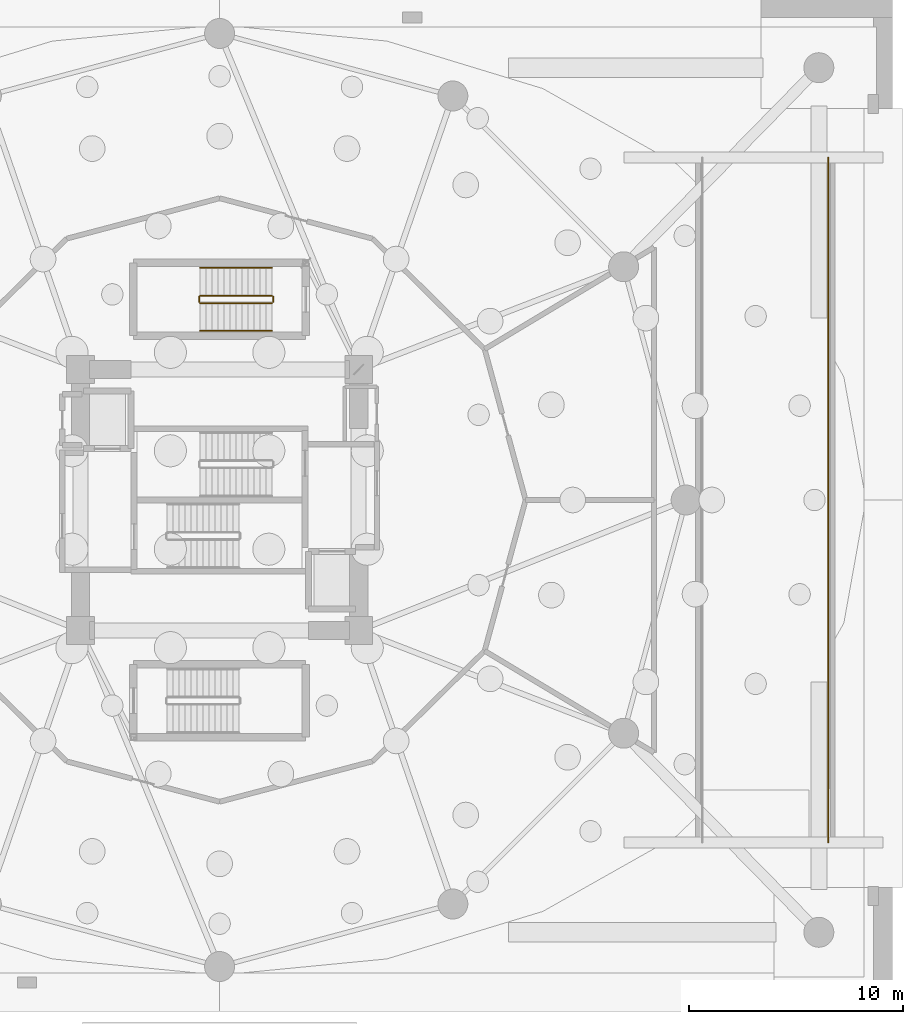
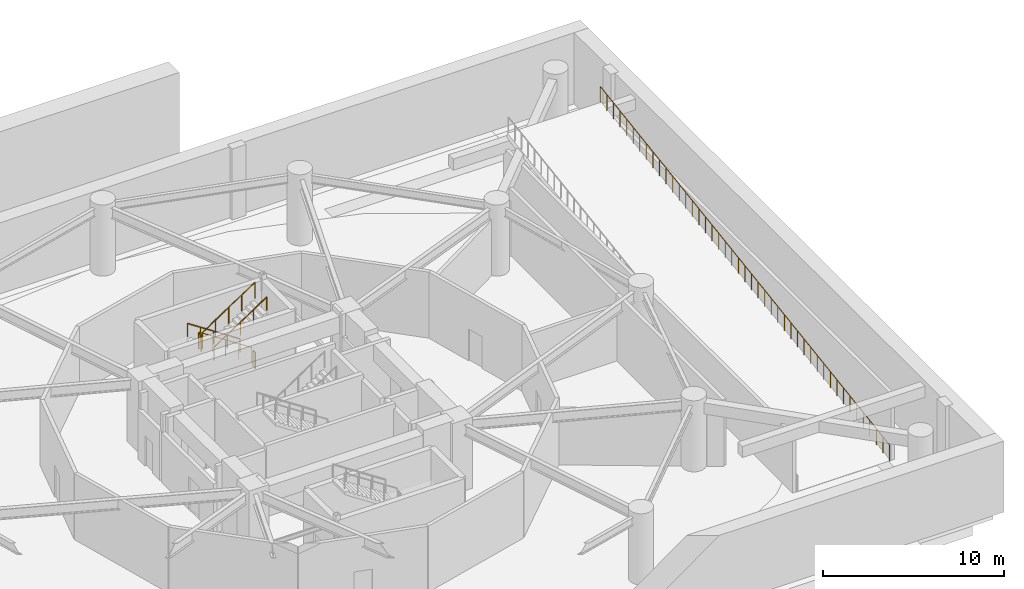
# One storey, part 11 of 12: 7 railings.
"""IFC4 building model written with IfcOpenShell, lengths in metres."""

from ifc_helpers import new_model, si_unit, direction, frame, origin, origin_2d, place, context, subcontext, project, spatial, circle, extrude, material, type_object, element, save


model = new_model("IFC4")

# Units and contexts
model_context = context("Model", 3, precision=1e-05, world=origin(), true_north=direction((0.0, 1.0)))
body_context = subcontext(model_context, "Body", "Model", "MODEL_VIEW")
ifc_project = project(units=[si_unit("LENGTHUNIT", "METRE"), si_unit("AREAUNIT", "SQUARE_METRE"), si_unit("VOLUMEUNIT", "CUBIC_METRE"), si_unit("PLANEANGLEUNIT", "RADIAN"), si_unit("MASSUNIT", "GRAM", prefix="KILO")], contexts=[model_context])

# Site, building, storey
site_placement = place(None, origin())
site = spatial("IfcSite", under=ifc_project, at=site_placement, CompositionType="ELEMENT")
building_placement = place(site_placement, origin())
building = spatial("IfcBuilding", under=site, at=building_placement, Name="Solvirekh Grand Hotel", CompositionType="ELEMENT")
storey_placement = place(building_placement, frame((0.0, 0.0, -9.60009765625)))
storey = spatial("IfcBuildingStorey", under=building, at=storey_placement, Name="B02", CompositionType="ELEMENT", Elevation=-9.60009765625)

# Railings
ifc_material_1 = material(Name="Steel S355", Category="steel")
railing_type_1 = type_object("IfcRailingType", Name="Guard_Stair_1100", PredefinedType="GUARDRAIL", material=ifc_material_1)
railing_1_placement = place(storey_placement, frame((28.43994140625, -16.0, 0.0)))
element("IfcRailing", 1, at=railing_1_placement, inside=storey, type_object=railing_type_1, Name="B02 vehicle ramp R1 E edge safety guardrail", PredefinedType="GUARDRAIL", context=body_context, shape_type="SweptSolid", body=[
    extrude(circle(Radius=0.02392578125, at=origin_2d()), frame((0.0, 0.0, 1.076171875), z_axis=(0.0, 0.988935024618, 0.148349307663), x_axis=(-1.0, 0.0, 0.0)), (0.0, 0.0, 1.0), 16.178955078125),
    extrude(circle(Radius=0.02392578125, at=origin_2d()), frame((0.0, 16.0, 3.47607421875), z_axis=(0.0, 0.988937238327, 0.148334549755), x_axis=(-1.0, 0.0, 0.0)), (0.0, 0.0, 1.0), 16.178955078125),
    extrude(circle(Radius=0.02099609375, at=origin_2d()), origin(), (0.0, 0.0, 1.0), 1.052001953125),
    extrude(circle(Radius=0.02099609375, at=origin_2d()), frame((0.0, 0.727294921875, 0.109130859375)), (0.0, 0.0, 1.0), 1.052001953125),
    extrude(circle(Radius=0.02099609375, at=origin_2d()), frame((0.0, 1.45458984375, 0.21826171875)), (0.0, 0.0, 1.0), 1.052001953125),
    extrude(circle(Radius=0.02099609375, at=origin_2d()), frame((0.0, 2.181884765625, 0.327392578125)), (0.0, 0.0, 1.0), 1.052001953125),
    extrude(circle(Radius=0.02099609375, at=origin_2d()), frame((0.0, 2.9091796875, 0.436279296875)), (0.0, 0.0, 1.0), 1.052001953125),
    extrude(circle(Radius=0.02099609375, at=origin_2d()), frame((0.0, 3.636474609375, 0.54541015625)), (0.0, 0.0, 1.0), 1.052001953125),
    extrude(circle(Radius=0.02099609375, at=origin_2d()), frame((0.0, 4.363525390625, 0.654541015625)), (0.0, 0.0, 1.0), 1.052001953125),
    extrude(circle(Radius=0.02099609375, at=origin_2d()), frame((0.0, 5.0908203125, 0.763671875)), (0.0, 0.0, 1.0), 1.052001953125),
    extrude(circle(Radius=0.02099609375, at=origin_2d()), frame((0.0, 5.818115234375, 0.872802734375)), (0.0, 0.0, 1.0), 1.052001953125),
    extrude(circle(Radius=0.02099609375, at=origin_2d()), frame((0.0, 6.54541015625, 0.98193359375)), (0.0, 0.0, 1.0), 1.052001953125),
    extrude(circle(Radius=0.02099609375, at=origin_2d()), frame((0.0, 7.272705078125, 1.091064453125)), (0.0, 0.0, 1.0), 1.052001953125),
    extrude(circle(Radius=0.02099609375, at=origin_2d()), frame((0.0, 8.0, 1.2001953125)), (0.0, 0.0, 1.0), 1.052001953125),
    extrude(circle(Radius=0.02099609375, at=origin_2d()), frame((0.0, 8.727294921875, 1.30908203125)), (0.0, 0.0, 1.0), 1.052001953125),
    extrude(circle(Radius=0.02099609375, at=origin_2d()), frame((0.0, 9.45458984375, 1.418212890625)), (0.0, 0.0, 1.0), 1.052001953125),
    extrude(circle(Radius=0.02099609375, at=origin_2d()), frame((0.0, 10.181884765625, 1.52734375)), (0.0, 0.0, 1.0), 1.052001953125),
    extrude(circle(Radius=0.02099609375, at=origin_2d()), frame((0.0, 10.9091796875, 1.636474609375)), (0.0, 0.0, 1.0), 1.052001953125),
    extrude(circle(Radius=0.02099609375, at=origin_2d()), frame((0.0, 11.636474609375, 1.74560546875)), (0.0, 0.0, 1.0), 1.052001953125),
    extrude(circle(Radius=0.02099609375, at=origin_2d()), frame((0.0, 12.363525390625, 1.854736328125)), (0.0, 0.0, 1.0), 1.052001953125),
    extrude(circle(Radius=0.02099609375, at=origin_2d()), frame((0.0, 13.0908203125, 1.9638671875)), (0.0, 0.0, 1.0), 1.052001953125),
    extrude(circle(Radius=0.02099609375, at=origin_2d()), frame((0.0, 13.818115234375, 2.07275390625)), (0.0, 0.0, 1.0), 1.052001953125),
    extrude(circle(Radius=0.02099609375, at=origin_2d()), frame((0.0, 14.54541015625, 2.181884765625)), (0.0, 0.0, 1.0), 1.052001953125),
    extrude(circle(Radius=0.02099609375, at=origin_2d()), frame((0.0, 15.272705078125, 2.291015625)), (0.0, 0.0, 1.0), 1.052001953125),
    extrude(circle(Radius=0.02099609375, at=origin_2d()), frame((0.0, 16.0, 2.400146484375)), (0.0, 0.0, 1.0), 1.052001953125),
    extrude(circle(Radius=0.02099609375, at=origin_2d()), frame((0.0, 16.727294921875, 2.50927734375)), (0.0, 0.0, 1.0), 1.052001953125),
    extrude(circle(Radius=0.02099609375, at=origin_2d()), frame((0.0, 17.45458984375, 2.618408203125)), (0.0, 0.0, 1.0), 1.052001953125),
    extrude(circle(Radius=0.02099609375, at=origin_2d()), frame((0.0, 18.181884765625, 2.727294921875)), (0.0, 0.0, 1.0), 1.052001953125),
    extrude(circle(Radius=0.02099609375, at=origin_2d()), frame((0.0, 18.9091796875, 2.83642578125)), (0.0, 0.0, 1.0), 1.052001953125),
    extrude(circle(Radius=0.02099609375, at=origin_2d()), frame((0.0, 19.636474609375, 2.945556640625)), (0.0, 0.0, 1.0), 1.052001953125),
    extrude(circle(Radius=0.02099609375, at=origin_2d()), frame((0.0, 20.363525390625, 3.0546875)), (0.0, 0.0, 1.0), 1.052001953125),
    extrude(circle(Radius=0.02099609375, at=origin_2d()), frame((0.0, 21.0908203125, 3.163818359375)), (0.0, 0.0, 1.0), 1.052001953125),
    extrude(circle(Radius=0.02099609375, at=origin_2d()), frame((0.0, 21.818115234375, 3.27294921875)), (0.0, 0.0, 1.0), 1.052001953125),
    extrude(circle(Radius=0.02099609375, at=origin_2d()), frame((0.0, 22.54541015625, 3.3818359375)), (0.0, 0.0, 1.0), 1.052001953125),
    extrude(circle(Radius=0.02099609375, at=origin_2d()), frame((0.0, 23.272705078125, 3.490966796875)), (0.0, 0.0, 1.0), 1.052001953125),
    extrude(circle(Radius=0.02099609375, at=origin_2d()), frame((0.0, 24.0, 3.60009765625)), (0.0, 0.0, 1.0), 1.052001953125),
    extrude(circle(Radius=0.02099609375, at=origin_2d()), frame((0.0, 24.727294921875, 3.709228515625)), (0.0, 0.0, 1.0), 1.052001953125),
    extrude(circle(Radius=0.02099609375, at=origin_2d()), frame((0.0, 25.45458984375, 3.818359375)), (0.0, 0.0, 1.0), 1.052001953125),
    extrude(circle(Radius=0.02099609375, at=origin_2d()), frame((0.0, 26.181884765625, 3.92724609375)), (0.0, 0.0, 1.0), 1.052001953125),
    extrude(circle(Radius=0.02099609375, at=origin_2d()), frame((0.0, 26.9091796875, 4.036376953125)), (0.0, 0.0, 1.0), 1.052001953125),
    extrude(circle(Radius=0.02099609375, at=origin_2d()), frame((0.0, 27.636474609375, 4.1455078125)), (0.0, 0.0, 1.0), 1.052001953125),
    extrude(circle(Radius=0.02099609375, at=origin_2d()), frame((0.0, 28.363525390625, 4.254638671875)), (0.0, 0.0, 1.0), 1.052001953125),
    extrude(circle(Radius=0.02099609375, at=origin_2d()), frame((0.0, 29.0908203125, 4.36376953125)), (0.0, 0.0, 1.0), 1.052001953125),
    extrude(circle(Radius=0.02099609375, at=origin_2d()), frame((0.0, 29.818115234375, 4.472900390625)), (0.0, 0.0, 1.0), 1.052001953125),
    extrude(circle(Radius=0.02099609375, at=origin_2d()), frame((0.0, 30.54541015625, 4.581787109375)), (0.0, 0.0, 1.0), 1.052001953125),
    extrude(circle(Radius=0.02099609375, at=origin_2d()), frame((0.0, 31.272705078125, 4.69091796875)), (0.0, 0.0, 1.0), 1.052001953125),
    extrude(circle(Radius=0.02099609375, at=origin_2d()), frame((0.0, 32.0, 4.800048828125)), (0.0, 0.0, 1.0), 1.052001953125),
])
railing_2_placement = place(storey_placement, frame((2.449951171875, 9.550048828125, 0.184814453125)))
element("IfcRailing", 2, at=railing_2_placement, inside=storey, type_object=railing_type_1, Name="B02 ST-4 stair guard 1", PredefinedType="GUARDRAIL", context=body_context, shape_type="SweptSolid", body=[
    extrude(circle(Radius=0.02392578125, at=origin_2d()), frame((0.0, 0.0, 1.076171875), z_axis=(-0.834858096282, 0.0, 0.550465220583), x_axis=(0.0, -1.0, 0.0)), (0.0, 0.0, 1.0), 4.0244140625),
    extrude(circle(Radius=0.02099609375, at=origin_2d()), origin(), (0.0, 0.0, 1.0), 1.052001953125),
    extrude(circle(Radius=0.02099609375, at=origin_2d()), frame((-0.83984375, 0.0, 0.5537109375)), (0.0, 0.0, 1.0), 1.052001953125),
    extrude(circle(Radius=0.02099609375, at=origin_2d()), frame((-1.679931640625, 0.0, 1.107666015625)), (0.0, 0.0, 1.0), 1.052001953125),
    extrude(circle(Radius=0.02099609375, at=origin_2d()), frame((-2.52001953125, 0.0, 1.66162109375)), (0.0, 0.0, 1.0), 1.052001953125),
    extrude(circle(Radius=0.02099609375, at=origin_2d()), frame((-3.35986328125, 0.0, 2.21533203125)), (0.0, 0.0, 1.0), 1.052001953125),
])
railing_3_placement = place(storey_placement, frame((-0.9599609375, 9.5, 2.400146484375)))
element("IfcRailing", 3, at=railing_3_placement, inside=storey, type_object=railing_type_1, Name="B02 ST-4 stair guard 2", PredefinedType="GUARDRAIL", context=body_context, shape_type="SweptSolid", body=[
    extrude(circle(Radius=0.02392578125, at=origin_2d()), frame((0.0, 0.0, 1.076171875), z_axis=(0.0, -1.0, 0.0), x_axis=(1.0, 0.0, 0.0)), (0.0, 0.0, 1.0), 0.25),
    extrude(circle(Radius=0.02099609375, at=origin_2d()), origin(), (0.0, 0.0, 1.0), 1.052001953125),
    extrude(circle(Radius=0.02099609375, at=origin_2d()), frame((0.0, -0.25, 0.0)), (0.0, 0.0, 1.0), 1.052001953125),
])
railing_4_placement = place(storey_placement, frame((-0.909912109375, 9.199951171875, 2.584716796875)))
element("IfcRailing", 4, at=railing_4_placement, inside=storey, type_object=railing_type_1, Name="B02 ST-4 stair guard 3", PredefinedType="GUARDRAIL", context=body_context, shape_type="SweptSolid", body=[
    extrude(circle(Radius=0.02392578125, at=origin_2d()), frame((0.0, 0.0, 1.076171875), z_axis=(0.834858096282, 0.0, 0.550465220583), x_axis=(0.0, 1.0, 0.0)), (0.0, 0.0, 1.0), 4.0244140625),
    extrude(circle(Radius=0.02099609375, at=origin_2d()), origin(), (0.0, 0.0, 1.0), 1.052001953125),
    extrude(circle(Radius=0.02099609375, at=origin_2d()), frame((0.83984375, 0.0, 0.5537109375)), (0.0, 0.0, 1.0), 1.052001953125),
    extrude(circle(Radius=0.02099609375, at=origin_2d()), frame((1.679931640625, 0.0, 1.107666015625)), (0.0, 0.0, 1.0), 1.052001953125),
    extrude(circle(Radius=0.02099609375, at=origin_2d()), frame((2.52001953125, 0.0, 1.66162109375)), (0.0, 0.0, 1.0), 1.052001953125),
    extrude(circle(Radius=0.02099609375, at=origin_2d()), frame((3.35986328125, 0.0, 2.21533203125)), (0.0, 0.0, 1.0), 1.052001953125),
])
railing_5_placement = place(storey_placement, frame((2.5, 9.5, 0.0)))
element("IfcRailing", 5, at=railing_5_placement, inside=storey, type_object=railing_type_1, Name="B02 ST-4 stair guard 4", PredefinedType="GUARDRAIL", context=body_context, shape_type="SweptSolid", body=[
    extrude(circle(Radius=0.02392578125, at=origin_2d()), frame((0.0, 0.0, 1.076171875), z_axis=(0.0, -1.0, 0.0), x_axis=(1.0, 0.0, 0.0)), (0.0, 0.0, 1.0), 0.25),
    extrude(circle(Radius=0.02099609375, at=origin_2d()), origin(), (0.0, 0.0, 1.0), 1.052001953125),
    extrude(circle(Radius=0.02099609375, at=origin_2d()), frame((0.0, -0.25, 0.0)), (0.0, 0.0, 1.0), 1.052001953125),
])
ifc_material_2 = material(Name="Anodized Bronze Aluminium 6063-T6", Category="aluminium")
railing_type_2 = type_object("IfcRailingType", Name="Handrail_Wall_900", PredefinedType="HANDRAIL", material=ifc_material_2)
railing_6_placement = place(storey_placement, frame((2.449951171875, 10.85009765625, 0.184814453125)))
element("IfcRailing", 6, at=railing_6_placement, inside=storey, type_object=railing_type_2, Name="B02 ST-4 stair handrail 1", PredefinedType="HANDRAIL", context=body_context, shape_type="SweptSolid", body=[
    extrude(circle(Radius=0.02392578125, at=origin_2d()), frame((0.0, 0.0, 0.8759765625), z_axis=(-0.834858096282, 0.0, 0.550465220583), x_axis=(0.0, -1.0, 0.0)), (0.0, 0.0, 1.0), 4.0244140625),
    extrude(circle(Radius=0.02099609375, at=origin_2d()), origin(), (0.0, 0.0, 1.0), 0.851806640625),
    extrude(circle(Radius=0.02099609375, at=origin_2d()), frame((-0.83984375, 0.0, 0.5537109375)), (0.0, 0.0, 1.0), 0.851806640625),
    extrude(circle(Radius=0.02099609375, at=origin_2d()), frame((-1.679931640625, 0.0, 1.107666015625)), (0.0, 0.0, 1.0), 0.851806640625),
    extrude(circle(Radius=0.02099609375, at=origin_2d()), frame((-2.52001953125, 0.0, 1.66162109375)), (0.0, 0.0, 1.0), 0.851806640625),
    extrude(circle(Radius=0.02099609375, at=origin_2d()), frame((-3.35986328125, 0.0, 2.21533203125)), (0.0, 0.0, 1.0), 0.851806640625),
])
railing_7_placement = place(storey_placement, frame((-0.909912109375, 7.89990234375, 2.584716796875)))
element("IfcRailing", 7, at=railing_7_placement, inside=storey, type_object=railing_type_2, Name="B02 ST-4 stair handrail 2", PredefinedType="HANDRAIL", context=body_context, shape_type="SweptSolid", body=[
    extrude(circle(Radius=0.02392578125, at=origin_2d()), frame((0.0, 0.0, 0.8759765625), z_axis=(0.834858096282, 0.0, 0.550465220583), x_axis=(0.0, 1.0, 0.0)), (0.0, 0.0, 1.0), 4.0244140625),
    extrude(circle(Radius=0.02099609375, at=origin_2d()), origin(), (0.0, 0.0, 1.0), 0.851806640625),
    extrude(circle(Radius=0.02099609375, at=origin_2d()), frame((0.83984375, 0.0, 0.5537109375)), (0.0, 0.0, 1.0), 0.851806640625),
    extrude(circle(Radius=0.02099609375, at=origin_2d()), frame((1.679931640625, 0.0, 1.107666015625)), (0.0, 0.0, 1.0), 0.851806640625),
    extrude(circle(Radius=0.02099609375, at=origin_2d()), frame((2.52001953125, 0.0, 1.66162109375)), (0.0, 0.0, 1.0), 0.851806640625),
    extrude(circle(Radius=0.02099609375, at=origin_2d()), frame((3.35986328125, 0.0, 2.21533203125)), (0.0, 0.0, 1.0), 0.851806640625),
])

save(model, "model.ifc")
